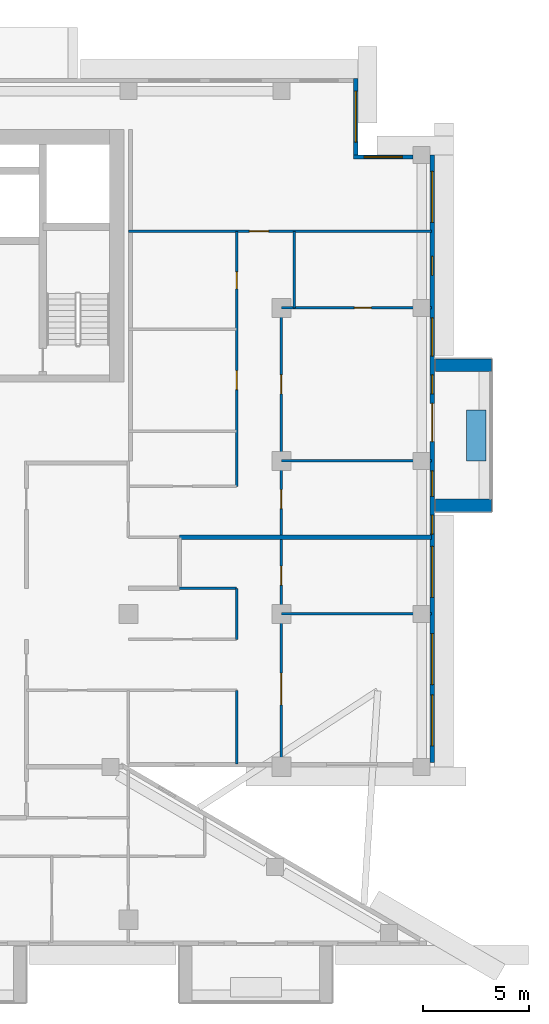
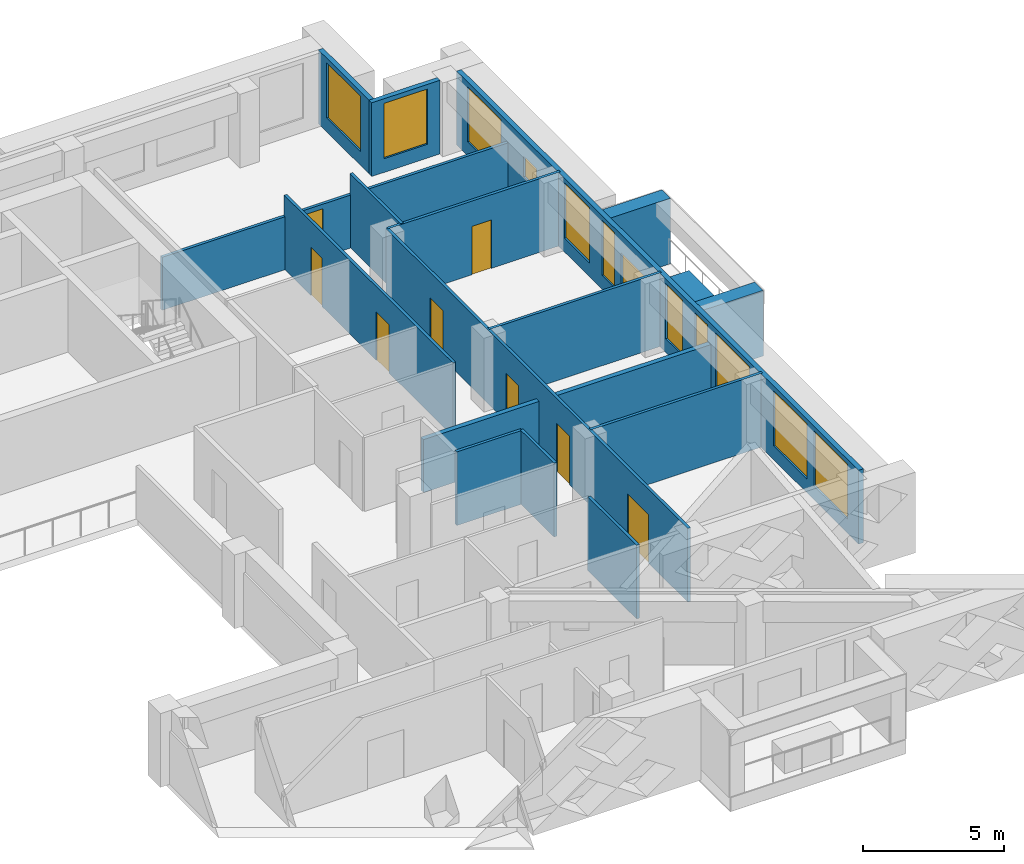
# One storey, part 12 of 20: 17 walls, 11 windows, 9 doors, 20 openings.
"""IFC4 building model written with IfcOpenShell, lengths in metres."""

from ifc_helpers import new_model, si_unit, direction, frame, frame_2d, origin, place, context, subcontext, project, spatial, rectangle, extrude, material, layer, layer_set, type_object, element, fill, save


model = new_model("IFC4")

# Units and contexts
model_context = context("Model", 3, precision=1e-05, world=origin(), true_north=direction((0.0, 1.0)))
body_context = subcontext(model_context, "Body", "Model", "MODEL_VIEW")
ifc_project = project(units=[si_unit("LENGTHUNIT", "METRE"), si_unit("AREAUNIT", "SQUARE_METRE"), si_unit("VOLUMEUNIT", "CUBIC_METRE"), si_unit("PLANEANGLEUNIT", "RADIAN"), si_unit("MASSUNIT", "GRAM", prefix="KILO")], contexts=[model_context])

# Site, building, storey
site_placement = place(None, origin())
site = spatial("IfcSite", under=ifc_project, at=site_placement, CompositionType="ELEMENT")
building_placement = place(site_placement, origin())
building = spatial("IfcBuilding", under=site, at=building_placement, Name="Saffron Iwan Residences", CompositionType="ELEMENT")
storey_placement = place(building_placement, frame((0.0, 0.0, 174.5)))
storey = spatial("IfcBuildingStorey", under=building, at=storey_placement, Name="L46", CompositionType="ELEMENT", Elevation=174.5)

# Walls
ifc_material_1 = material(Name="Concrete C50/60 white painted", Category="concrete")
ifc_layer_1 = layer(ifc_material_1, 0.60009765625)
ifc_layer_set_1 = layer_set([ifc_layer_1], Name="Concrete C50/60 white painted")
wall_type_1 = type_object("IfcWallType", Name="BALCONY FIN 600", PredefinedType="SOLIDWALL", material=ifc_layer_set_1)
for number, where, z_axis, x_axis, name in (
    (1, (86.449951171875, 60.300048828125, 0.0), (0.0, 0.0, 1.0), (1.0, 0.0, 0.0), "Balcony fin L46 F2-0a"),
    (2, (86.449951171875, 66.89990234375, 0.0), (0.0, 0.0, 1.0), (1.0, 0.0, 0.0), "Balcony fin L46 F2-0b"),
):
    element("IfcWall", number, at=place(storey_placement, frame(where, z_axis=z_axis, x_axis=x_axis)), inside=storey, type_object=wall_type_1, Name=name, PredefinedType="SOLIDWALL", context=body_context, shape_type="SweptSolid", body=[
        extrude(rectangle(XDim=2.650146484375, YDim=0.60009765625, at=frame_2d((1.3251953125, 0.0))), origin(), (0.0, 0.0, 1.0), 2.85009765625),
    ])
ifc_material_2 = material(Name="Concrete C35/45 white painted", Category="concrete")
ifc_layer_2 = layer(ifc_material_2, 0.14990234375)
ifc_layer_set_2 = layer_set([ifc_layer_2], Name="Concrete C35/45 white painted")
wall_type_2 = type_object("IfcWallType", Name="BALCONY PLANTER", PredefinedType="SOLIDWALL", material=ifc_layer_set_2)
wall_1_placement = place(storey_placement, frame((88.375, 62.39990234375, 0.0), z_axis=(0.0, 0.0, 1.0), x_axis=(0.0, 1.0, 0.0)))
element("IfcWall", 3, at=wall_1_placement, inside=storey, type_object=wall_type_2, Name="PLANTER L46 F2-0", PredefinedType="SOLIDWALL", context=body_context, shape_type="SweptSolid", body=[
    extrude(rectangle(XDim=2.400146484375, YDim=0.89990234375, at=frame_2d((1.2001953125, 0.0))), origin(), (0.0, 0.0, 1.0), 0.89990234375),
])

# Wall, openings, door, windows
ifc_material_3 = material(Name="Concrete C40/50", Category="concrete")
ifc_layer_3 = layer(ifc_material_3, 0.199951171875)
ifc_layer_set_3 = layer_set([ifc_layer_3], Name="Concrete C40/50")
wall_type_3 = type_object("IfcWallType", Name="EXTERNAL WALL 200", PredefinedType="SOLIDWALL", material=ifc_layer_set_3)
wall_2_placement = place(storey_placement, frame((86.300048828125, 48.199951171875, 0.0), z_axis=(0.0, 0.0, 1.0), x_axis=(0.0, 1.0, 0.0)))
wall_2 = element("IfcWall", 4, at=wall_2_placement, inside=storey, type_object=wall_type_3, Name="External wall L46 F2.0", PredefinedType="SOLIDWALL", context=body_context, shape_type="SweptSolid", body=[
    extrude(rectangle(XDim=28.60009765625, YDim=0.199951171875, at=frame_2d((14.300048828125, 0.0))), origin(), (0.0, 0.0, 1.0), 3.199951171875),
])
opening_1_placement = place(wall_2_placement, frame((15.10009765625, 0.0, 0.0)))
opening_1 = element("IfcOpeningElement", 5, at=opening_1_placement, cuts=wall_2, Name="Opening BD1", PredefinedType="OPENING", context=body_context, shape_type="SweptSolid", body=[
    extrude(rectangle(XDim=1.800048828125, YDim=2.39990234375, at=frame_2d((0.89990234375, 1.199951171875))), frame((0.0, 0.10986328125, 0.0), z_axis=(0.0, -1.0, 0.0), x_axis=(1.0, 0.0, 0.0)), (0.0, 0.0, 1.0), 0.219970703125),
])
opening_2_placement = place(wall_2_placement, frame((0.783203125, 0.0, 0.60009765625)))
opening_2 = element("IfcOpeningElement", 6, at=opening_2_placement, cuts=wall_2, Name="Opening W1", PredefinedType="OPENING", context=body_context, shape_type="SweptSolid", body=[
    extrude(rectangle(XDim=2.39990234375, YDim=2.39990234375, at=frame_2d((1.199951171875, 1.199951171875))), frame((0.0, 0.10986328125, 0.0), z_axis=(0.0, -1.0, 0.0), x_axis=(1.0, 0.0, 0.0)), (0.0, 0.0, 1.0), 0.219970703125),
])
opening_3_placement = place(wall_2_placement, frame((3.666748046875, 0.0, 0.60009765625)))
opening_3 = element("IfcOpeningElement", 7, at=opening_3_placement, cuts=wall_2, Name="Opening W1", PredefinedType="OPENING", context=body_context, shape_type="SweptSolid", body=[
    extrude(rectangle(XDim=2.39990234375, YDim=2.39990234375, at=frame_2d((1.199951171875, 1.199951171875))), frame((0.0, 0.10986328125, 0.0), z_axis=(0.0, -1.0, 0.0), x_axis=(1.0, 0.0, 0.0)), (0.0, 0.0, 1.0), 0.219970703125),
])
opening_4_placement = place(wall_2_placement, frame((7.77490234375, 0.0, 0.60009765625)))
opening_4 = element("IfcOpeningElement", 8, at=opening_4_placement, cuts=wall_2, Name="Opening W1", PredefinedType="OPENING", context=body_context, shape_type="SweptSolid", body=[
    extrude(rectangle(XDim=2.39990234375, YDim=2.39990234375, at=frame_2d((1.199951171875, 1.199951171875))), frame((0.0, 0.10986328125, 0.0), z_axis=(0.0, -1.0, 0.0), x_axis=(1.0, 0.0, 0.0)), (0.0, 0.0, 1.0), 0.219970703125),
])
opening_5_placement = place(wall_2_placement, frame((10.75, 0.0, 0.60009765625)))
opening_5 = element("IfcOpeningElement", 9, at=opening_5_placement, cuts=wall_2, Name="Opening W10", PredefinedType="OPENING", context=body_context, shape_type="SweptSolid", body=[
    extrude(rectangle(XDim=0.89990234375, YDim=2.39990234375, at=frame_2d((0.449951171875, 1.199951171875))), frame((0.0, 0.10986328125, 0.0), z_axis=(0.0, -1.0, 0.0), x_axis=(1.0, 0.0, 0.0)), (0.0, 0.0, 1.0), 0.219970703125),
])
opening_6_placement = place(wall_2_placement, frame((12.52490234375, 0.0, 0.60009765625)))
opening_6 = element("IfcOpeningElement", 10, at=opening_6_placement, cuts=wall_2, Name="Opening W3", PredefinedType="OPENING", context=body_context, shape_type="SweptSolid", body=[
    extrude(rectangle(XDim=1.199951171875, YDim=2.39990234375, at=frame_2d((0.60009765625, 1.199951171875))), frame((0.0, 0.10986328125, 0.0), z_axis=(0.0, -1.0, 0.0), x_axis=(1.0, 0.0, 0.0)), (0.0, 0.0, 1.0), 0.219970703125),
])
opening_7_placement = place(wall_2_placement, frame((17.35009765625, 0.0, 0.60009765625)))
opening_7 = element("IfcOpeningElement", 11, at=opening_7_placement, cuts=wall_2, Name="Opening W10", PredefinedType="OPENING", context=body_context, shape_type="SweptSolid", body=[
    extrude(rectangle(XDim=0.89990234375, YDim=2.39990234375, at=frame_2d((0.449951171875, 1.199951171875))), frame((0.0, 0.10986328125, 0.0), z_axis=(0.0, -1.0, 0.0), x_axis=(1.0, 0.0, 0.0)), (0.0, 0.0, 1.0), 0.219970703125),
])
opening_8_placement = place(wall_2_placement, frame((19.125, 0.0, 0.60009765625)))
opening_8 = element("IfcOpeningElement", 12, at=opening_8_placement, cuts=wall_2, Name="Opening W8", PredefinedType="OPENING", context=body_context, shape_type="SweptSolid", body=[
    extrude(rectangle(XDim=1.800048828125, YDim=2.39990234375, at=frame_2d((0.89990234375, 1.199951171875))), frame((0.0, 0.10986328125, 0.0), z_axis=(0.0, -1.0, 0.0), x_axis=(1.0, 0.0, 0.0)), (0.0, 0.0, 1.0), 0.219970703125),
])
opening_9_placement = place(wall_2_placement, frame((22.925048828125, 0.0, 1.5)))
opening_9 = element("IfcOpeningElement", 13, at=opening_9_placement, cuts=wall_2, Name="Opening W6", PredefinedType="OPENING", context=body_context, shape_type="SweptSolid", body=[
    extrude(rectangle(XDim=0.89990234375, YDim=0.89990234375, at=frame_2d((0.449951171875, 0.449951171875))), frame((0.0, 0.10986328125, 0.0), z_axis=(0.0, -1.0, 0.0), x_axis=(1.0, 0.0, 0.0)), (0.0, 0.0, 1.0), 0.219970703125),
])
opening_10_placement = place(wall_2_placement, frame((25.425048828125, 0.0, 0.60009765625)))
opening_10 = element("IfcOpeningElement", 14, at=opening_10_placement, cuts=wall_2, Name="Opening W1", PredefinedType="OPENING", context=body_context, shape_type="SweptSolid", body=[
    extrude(rectangle(XDim=2.39990234375, YDim=2.39990234375, at=frame_2d((1.199951171875, 1.199951171875))), frame((0.0, 0.10986328125, 0.0), z_axis=(0.0, -1.0, 0.0), x_axis=(1.0, 0.0, 0.0)), (0.0, 0.0, 1.0), 0.219970703125),
])
ifc_material_4 = material(Name="Clear glass, laminated double glazed", Category="glass")
door_type_1 = type_object("IfcDoorType", Name="BALCONY DOOR 1800 x 2400", OperationType="DOUBLE_DOOR_SLIDING", PredefinedType="DOOR", material=ifc_material_4)
door_1_placement = place(opening_1_placement, origin())
door_1 = element("IfcDoor", 15, at=door_1_placement, inside=storey, type_object=door_type_1, Name="Balcony door L46 F2.0", OperationType="DOUBLE_DOOR_SLIDING", OverallHeight=2.39990234375, OverallWidth=1.800048828125, PredefinedType="DOOR", context=body_context, shape_type="SweptSolid", body=[
    extrude(rectangle(XDim=1.800048828125, YDim=2.39990234375, at=frame_2d((0.89990234375, 1.199951171875))), frame((0.0, 0.02490234375, 0.0), z_axis=(0.0, -1.0, 0.0), x_axis=(1.0, 0.0, 0.0)), (0.0, 0.0, 1.0), 0.050048828125),
])
fill(opening_1, door_1)
window_type_1 = type_object("IfcWindowType", Name="WINDOW 1200 x 2400", PartitioningType="SINGLE_PANEL", PredefinedType="WINDOW", material=ifc_material_4)
window_1_placement = place(opening_6_placement, origin())
window_1 = element("IfcWindow", 16, at=window_1_placement, inside=storey, type_object=window_type_1, Name="Window L46 F2.5", OverallHeight=2.39990234375, OverallWidth=1.199951171875, PartitioningType="SINGLE_PANEL", PredefinedType="WINDOW", context=body_context, shape_type="SweptSolid", body=[
    extrude(rectangle(XDim=1.199951171875, YDim=2.39990234375, at=frame_2d((0.60009765625, 1.199951171875))), frame((0.0, 0.030029296875, 0.0), z_axis=(0.0, -1.0, 0.0), x_axis=(1.0, 0.0, 0.0)), (0.0, 0.0, 1.0), 0.06005859375),
])
fill(opening_6, window_1)
window_type_2 = type_object("IfcWindowType", Name="WINDOW 1800 x 2400", PartitioningType="DOUBLE_PANEL_VERTICAL", PredefinedType="WINDOW", material=ifc_material_4)
window_2_placement = place(opening_8_placement, origin())
window_2 = element("IfcWindow", 17, at=window_2_placement, inside=storey, type_object=window_type_2, Name="Window L46 F2.7", OverallHeight=2.39990234375, OverallWidth=1.800048828125, PartitioningType="DOUBLE_PANEL_VERTICAL", PredefinedType="WINDOW", context=body_context, shape_type="SweptSolid", body=[
    extrude(rectangle(XDim=1.800048828125, YDim=2.39990234375, at=frame_2d((0.89990234375, 1.199951171875))), frame((0.0, 0.030029296875, 0.0), z_axis=(0.0, -1.0, 0.0), x_axis=(1.0, 0.0, 0.0)), (0.0, 0.0, 1.0), 0.06005859375),
])
fill(opening_8, window_2)
window_type_3 = type_object("IfcWindowType", Name="WINDOW 2400 x 2400", PartitioningType="DOUBLE_PANEL_VERTICAL", PredefinedType="WINDOW", material=ifc_material_4)
window_3_placement = place(opening_2_placement, origin())
window_3 = element("IfcWindow", 18, at=window_3_placement, inside=storey, type_object=window_type_3, Name="Window L46 F2.1", OverallHeight=2.39990234375, OverallWidth=2.39990234375, PartitioningType="DOUBLE_PANEL_VERTICAL", PredefinedType="WINDOW", context=body_context, shape_type="SweptSolid", body=[
    extrude(rectangle(XDim=2.39990234375, YDim=2.39990234375, at=frame_2d((1.199951171875, 1.199951171875))), frame((0.0, 0.030029296875, 0.0), z_axis=(0.0, -1.0, 0.0), x_axis=(1.0, 0.0, 0.0)), (0.0, 0.0, 1.0), 0.06005859375),
])
fill(opening_2, window_3)
window_4_placement = place(opening_3_placement, origin())
window_4 = element("IfcWindow", 19, at=window_4_placement, inside=storey, type_object=window_type_3, Name="Window L46 F2.2", OverallHeight=2.39990234375, OverallWidth=2.39990234375, PartitioningType="DOUBLE_PANEL_VERTICAL", PredefinedType="WINDOW", context=body_context, shape_type="SweptSolid", body=[
    extrude(rectangle(XDim=2.39990234375, YDim=2.39990234375, at=frame_2d((1.199951171875, 1.199951171875))), frame((0.0, 0.030029296875, 0.0), z_axis=(0.0, -1.0, 0.0), x_axis=(1.0, 0.0, 0.0)), (0.0, 0.0, 1.0), 0.06005859375),
])
fill(opening_3, window_4)
window_5_placement = place(opening_4_placement, origin())
window_5 = element("IfcWindow", 20, at=window_5_placement, inside=storey, type_object=window_type_3, Name="Window L46 F2.3", OverallHeight=2.39990234375, OverallWidth=2.39990234375, PartitioningType="DOUBLE_PANEL_VERTICAL", PredefinedType="WINDOW", context=body_context, shape_type="SweptSolid", body=[
    extrude(rectangle(XDim=2.39990234375, YDim=2.39990234375, at=frame_2d((1.199951171875, 1.199951171875))), frame((0.0, 0.030029296875, 0.0), z_axis=(0.0, -1.0, 0.0), x_axis=(1.0, 0.0, 0.0)), (0.0, 0.0, 1.0), 0.06005859375),
])
fill(opening_4, window_5)
window_6_placement = place(opening_10_placement, origin())
window_6 = element("IfcWindow", 21, at=window_6_placement, inside=storey, type_object=window_type_3, Name="Window L46 F2.9", OverallHeight=2.39990234375, OverallWidth=2.39990234375, PartitioningType="DOUBLE_PANEL_VERTICAL", PredefinedType="WINDOW", context=body_context, shape_type="SweptSolid", body=[
    extrude(rectangle(XDim=2.39990234375, YDim=2.39990234375, at=frame_2d((1.199951171875, 1.199951171875))), frame((0.0, 0.030029296875, 0.0), z_axis=(0.0, -1.0, 0.0), x_axis=(1.0, 0.0, 0.0)), (0.0, 0.0, 1.0), 0.06005859375),
])
fill(opening_10, window_6)
window_type_4 = type_object("IfcWindowType", Name="WINDOW 900 x 2400", PartitioningType="SINGLE_PANEL", PredefinedType="WINDOW", material=ifc_material_4)
window_7_placement = place(opening_5_placement, origin())
window_7 = element("IfcWindow", 22, at=window_7_placement, inside=storey, type_object=window_type_4, Name="Window L46 F2.4", OverallHeight=2.39990234375, OverallWidth=0.89990234375, PartitioningType="SINGLE_PANEL", PredefinedType="WINDOW", context=body_context, shape_type="SweptSolid", body=[
    extrude(rectangle(XDim=0.89990234375, YDim=2.39990234375, at=frame_2d((0.449951171875, 1.199951171875))), frame((0.0, 0.030029296875, 0.0), z_axis=(0.0, -1.0, 0.0), x_axis=(1.0, 0.0, 0.0)), (0.0, 0.0, 1.0), 0.06005859375),
])
fill(opening_5, window_7)
window_8_placement = place(opening_7_placement, origin())
window_8 = element("IfcWindow", 23, at=window_8_placement, inside=storey, type_object=window_type_4, Name="Window L46 F2.6", OverallHeight=2.39990234375, OverallWidth=0.89990234375, PartitioningType="SINGLE_PANEL", PredefinedType="WINDOW", context=body_context, shape_type="SweptSolid", body=[
    extrude(rectangle(XDim=0.89990234375, YDim=2.39990234375, at=frame_2d((0.449951171875, 1.199951171875))), frame((0.0, 0.030029296875, 0.0), z_axis=(0.0, -1.0, 0.0), x_axis=(1.0, 0.0, 0.0)), (0.0, 0.0, 1.0), 0.06005859375),
])
fill(opening_7, window_8)
window_type_5 = type_object("IfcWindowType", Name="WINDOW 900 x 900 BATH", PartitioningType="SINGLE_PANEL", PredefinedType="WINDOW", material=ifc_material_4)
window_9_placement = place(opening_9_placement, origin())
window_9 = element("IfcWindow", 24, at=window_9_placement, inside=storey, type_object=window_type_5, Name="Window L46 F2.8", OverallHeight=0.89990234375, OverallWidth=0.89990234375, PartitioningType="SINGLE_PANEL", PredefinedType="WINDOW", context=body_context, shape_type="SweptSolid", body=[
    extrude(rectangle(XDim=0.89990234375, YDim=0.89990234375, at=frame_2d((0.449951171875, 0.449951171875))), frame((0.0, 0.030029296875, 0.0), z_axis=(0.0, -1.0, 0.0), x_axis=(1.0, 0.0, 0.0)), (0.0, 0.0, 1.0), 0.06005859375),
])
fill(opening_9, window_9)

# Wall, opening, window
wall_3_placement = place(storey_placement, frame((85.39990234375, 76.699951171875, 0.0), z_axis=(0.0, 0.0, 1.0), x_axis=(-1.0, 0.0, 0.0)))
wall_3 = element("IfcWall", 25, at=wall_3_placement, inside=storey, type_object=wall_type_3, Name="External wall L46 F3.0", PredefinedType="SOLIDWALL", context=body_context, shape_type="SweptSolid", body=[
    extrude(rectangle(XDim=2.7998046875, YDim=0.199951171875, at=frame_2d((1.39990234375, 0.0))), origin(), (0.0, 0.0, 1.0), 3.199951171875),
])
opening_11_placement = place(wall_3_placement, frame((0.5, 0.0, 0.60009765625)))
opening_11 = element("IfcOpeningElement", 26, at=opening_11_placement, cuts=wall_3, Name="Opening W8", PredefinedType="OPENING", context=body_context, shape_type="SweptSolid", body=[
    extrude(rectangle(XDim=1.800048828125, YDim=2.39990234375, at=frame_2d((0.89990234375, 1.199951171875))), frame((0.0, 0.10986328125, 0.0), z_axis=(0.0, -1.0, 0.0), x_axis=(1.0, 0.0, 0.0)), (0.0, 0.0, 1.0), 0.219970703125),
])
window_10_placement = place(opening_11_placement, origin())
window_10 = element("IfcWindow", 27, at=window_10_placement, inside=storey, type_object=window_type_2, Name="Window L46 F3.0", OverallHeight=2.39990234375, OverallWidth=1.800048828125, PartitioningType="DOUBLE_PANEL_VERTICAL", PredefinedType="WINDOW", context=body_context, shape_type="SweptSolid", body=[
    extrude(rectangle(XDim=1.800048828125, YDim=2.39990234375, at=frame_2d((0.89990234375, 1.199951171875))), frame((0.0, 0.030029296875, 0.0), z_axis=(0.0, -1.0, 0.0), x_axis=(1.0, 0.0, 0.0)), (0.0, 0.0, 1.0), 0.06005859375),
])
fill(opening_11, window_10)

wall_4_placement = place(storey_placement, frame((82.699951171875, 76.800048828125, 0.0), z_axis=(0.0, 0.0, 1.0), x_axis=(0.0, 1.0, 0.0)))
wall_4 = element("IfcWall", 28, at=wall_4_placement, inside=storey, type_object=wall_type_3, Name="External wall L46 F4.0", PredefinedType="SOLIDWALL", context=body_context, shape_type="SweptSolid", body=[
    extrude(rectangle(XDim=3.599853515625, YDim=0.199951171875, at=frame_2d((1.7998046875, 0.0))), origin(), (0.0, 0.0, 1.0), 3.199951171875),
])
opening_12_placement = place(wall_4_placement, frame((0.60009765625, 0.0, 0.60009765625)))
opening_12 = element("IfcOpeningElement", 29, at=opening_12_placement, cuts=wall_4, Name="Opening W1", PredefinedType="OPENING", context=body_context, shape_type="SweptSolid", body=[
    extrude(rectangle(XDim=2.39990234375, YDim=2.39990234375, at=frame_2d((1.199951171875, 1.199951171875))), frame((0.0, 0.10986328125, 0.0), z_axis=(0.0, -1.0, 0.0), x_axis=(1.0, 0.0, 0.0)), (0.0, 0.0, 1.0), 0.219970703125),
])
window_11_placement = place(opening_12_placement, origin())
window_11 = element("IfcWindow", 30, at=window_11_placement, inside=storey, type_object=window_type_3, Name="Window L46 F4.0", OverallHeight=2.39990234375, OverallWidth=2.39990234375, PartitioningType="DOUBLE_PANEL_VERTICAL", PredefinedType="WINDOW", context=body_context, shape_type="SweptSolid", body=[
    extrude(rectangle(XDim=2.39990234375, YDim=2.39990234375, at=frame_2d((1.199951171875, 1.199951171875))), frame((0.0, 0.030029296875, 0.0), z_axis=(0.0, -1.0, 0.0), x_axis=(1.0, 0.0, 0.0)), (0.0, 0.0, 1.0), 0.06005859375),
])
fill(opening_12, window_11)

# Walls
ifc_material_5 = material(Name="Fire-rated gypsum board wall")
ifc_layer_4 = layer(ifc_material_5, 0.199951171875)
ifc_layer_set_4 = layer_set([ifc_layer_4], Name="Fire-rated gypsum board wall")
wall_type_4 = type_object("IfcWallType", Name="Flat demising wall 200", PredefinedType="SOLIDWALL", material=ifc_layer_set_4)
wall_5_placement = place(storey_placement, frame((74.39990234375, 58.800048828125, 0.0), z_axis=(0.0, 0.0, 1.0), x_axis=(1.0, 0.0, 0.0)))
element("IfcWall", 31, at=wall_5_placement, inside=storey, type_object=wall_type_4, Name="W-L46-DEMISE-h58.8-74.4", PredefinedType="SOLIDWALL", context=body_context, shape_type="SweptSolid", body=[
    extrude(rectangle(XDim=11.875, YDim=0.199951171875, at=frame_2d((5.9375, 0.0))), origin(), (0.0, 0.0, 1.0), 2.300048828125),
])
ifc_material_6 = material(Name="Gypsum board partition")
ifc_layer_5 = layer(ifc_material_6, 0.1201171875)
ifc_layer_set_5 = layer_set([ifc_layer_5], Name="Gypsum board partition")
wall_type_5 = type_object("IfcWallType", Name="Flat partition 120", PredefinedType="PARTITIONING", material=ifc_layer_set_5)
wall_6_placement = place(storey_placement, frame((79.199951171875, 55.199951171875, 0.0), z_axis=(0.0, 0.0, 1.0), x_axis=(1.0, 0.0, 0.0)))
element("IfcWall", 32, at=wall_6_placement, inside=storey, type_object=wall_type_5, Name="W-L46-PART-h55.2-79.2", PredefinedType="PARTITIONING", context=body_context, shape_type="SweptSolid", body=[
    extrude(rectangle(XDim=7.074951171875, YDim=0.1201171875, at=frame_2d((3.53759765625, 0.0))), origin(), (0.0, 0.0, 1.0), 3.199951171875),
])
wall_7_placement = place(storey_placement, frame((74.39990234375, 56.39990234375, 0.0), z_axis=(0.0, 0.0, 1.0), x_axis=(1.0, 0.0, 0.0)))
element("IfcWall", 33, at=wall_7_placement, inside=storey, type_object=wall_type_5, Name="W-L46-PART-h56.4-74.4", PredefinedType="PARTITIONING", context=body_context, shape_type="SweptSolid", body=[
    extrude(rectangle(XDim=2.7001953125, YDim=0.1201171875, at=frame_2d((1.35009765625, 0.0))), origin(), (0.0, 0.0, 1.0), 3.199951171875),
])
wall_8_placement = place(storey_placement, frame((79.199951171875, 62.39990234375, 0.0), z_axis=(0.0, 0.0, 1.0), x_axis=(1.0, 0.0, 0.0)))
element("IfcWall", 34, at=wall_8_placement, inside=storey, type_object=wall_type_5, Name="W-L46-PART-h62.4-79.2", PredefinedType="PARTITIONING", context=body_context, shape_type="SweptSolid", body=[
    extrude(rectangle(XDim=7.074951171875, YDim=0.1201171875, at=frame_2d((3.53759765625, 0.0))), origin(), (0.0, 0.0, 1.0), 3.199951171875),
])

# Wall, opening, door
wall_9_placement = place(storey_placement, frame((79.199951171875, 69.60009765625, 0.0), z_axis=(0.0, 0.0, 1.0), x_axis=(1.0, 0.0, 0.0)))
wall_9 = element("IfcWall", 35, at=wall_9_placement, inside=storey, type_object=wall_type_5, Name="W-L46-PART-h69.6-79.2", PredefinedType="PARTITIONING", context=body_context, shape_type="SweptSolid", body=[
    extrude(rectangle(XDim=7.074951171875, YDim=0.1201171875, at=frame_2d((3.53759765625, 0.0))), origin(), (0.0, 0.0, 1.0), 3.199951171875),
])
opening_13_placement = place(wall_9_placement, frame((3.4375, 0.0, 0.0)))
opening_13 = element("IfcOpeningElement", 36, at=opening_13_placement, cuts=wall_9, Name="Opening FD3", PredefinedType="OPENING", context=body_context, shape_type="SweptSolid", body=[
    extrude(rectangle(XDim=0.800048828125, YDim=2.10009765625, at=frame_2d((0.39990234375, 1.050048828125))), frame((0.0, 0.070068359375, 0.0), z_axis=(0.0, -1.0, 0.0), x_axis=(1.0, 0.0, 0.0)), (0.0, 0.0, 1.0), 0.14013671875),
])
ifc_material_7 = material(Name="Timber door", Category="wood")
door_type_2 = type_object("IfcDoorType", Name="Bathroom door 800", OperationType="NOTDEFINED", PredefinedType="DOOR", material=ifc_material_7)
door_2_placement = place(opening_13_placement, origin())
door_2 = element("IfcDoor", 37, at=door_2_placement, inside=storey, type_object=door_type_2, Name="Door L46-034", OperationType="SINGLE_SWING_LEFT", OverallHeight=2.10009765625, OverallWidth=0.800048828125, PredefinedType="DOOR", context=body_context, shape_type="SweptSolid", body=[
    extrude(rectangle(XDim=0.800048828125, YDim=2.10009765625, at=frame_2d((0.39990234375, 1.050048828125))), frame((0.0, 0.02490234375, 0.0), z_axis=(0.0, -1.0, 0.0), x_axis=(1.0, 0.0, 0.0)), (0.0, 0.0, 1.0), 0.050048828125),
])
fill(opening_13, door_2)

wall_10_placement = place(storey_placement, frame((72.0, 73.199951171875, 0.0), z_axis=(0.0, 0.0, 1.0), x_axis=(1.0, 0.0, 0.0)))
wall_10 = element("IfcWall", 38, at=wall_10_placement, inside=storey, type_object=wall_type_5, Name="W-L46-PART-h73.2-72", PredefinedType="PARTITIONING", context=body_context, shape_type="SweptSolid", body=[
    extrude(rectangle(XDim=14.27490234375, YDim=0.1201171875, at=frame_2d((7.137451171875, 0.0))), origin(), (0.0, 0.0, 1.0), 2.300048828125),
])
opening_14_placement = place(wall_10_placement, frame((5.699951171875, 0.0, 0.0)))
opening_14 = element("IfcOpeningElement", 39, at=opening_14_placement, cuts=wall_10, Name="Opening FD2", PredefinedType="OPENING", context=body_context, shape_type="SweptSolid", body=[
    extrude(rectangle(XDim=0.89990234375, YDim=2.10009765625, at=frame_2d((0.449951171875, 1.050048828125))), frame((0.0, 0.070068359375, 0.0), z_axis=(0.0, -1.0, 0.0), x_axis=(1.0, 0.0, 0.0)), (0.0, 0.0, 1.0), 0.14013671875),
])
door_type_3 = type_object("IfcDoorType", Name="Flat door 900", OperationType="NOTDEFINED", PredefinedType="DOOR", material=ifc_material_7)
door_3_placement = place(opening_14_placement, origin())
door_3 = element("IfcDoor", 40, at=door_3_placement, inside=storey, type_object=door_type_3, Name="Door L46-035", OperationType="SINGLE_SWING_LEFT", OverallHeight=2.10009765625, OverallWidth=0.89990234375, PredefinedType="DOOR", context=body_context, shape_type="SweptSolid", body=[
    extrude(rectangle(XDim=0.89990234375, YDim=2.10009765625, at=frame_2d((0.449951171875, 1.050048828125))), frame((0.0, 0.02490234375, 0.0), z_axis=(0.0, -1.0, 0.0), x_axis=(1.0, 0.0, 0.0)), (0.0, 0.0, 1.0), 0.050048828125),
])
fill(opening_14, door_3)

# Walls
wall_11_placement = place(storey_placement, frame((77.10009765625, 48.125, 0.0), z_axis=(0.0, 0.0, 1.0), x_axis=(0.0, 1.0, 0.0)))
element("IfcWall", 41, at=wall_11_placement, inside=storey, type_object=wall_type_5, Name="W-L46-PART-v77.1-48.125", PredefinedType="PARTITIONING", context=body_context, shape_type="SweptSolid", body=[
    extrude(rectangle(XDim=3.47509765625, YDim=0.1201171875, at=frame_2d((1.737548828125, 0.0))), origin(), (0.0, 0.0, 1.0), 3.199951171875),
])
wall_12_placement = place(storey_placement, frame((77.10009765625, 54.0, 0.0), z_axis=(0.0, 0.0, 1.0), x_axis=(0.0, 1.0, 0.0)))
element("IfcWall", 42, at=wall_12_placement, inside=storey, type_object=wall_type_5, Name="W-L46-PART-v77.1-54", PredefinedType="PARTITIONING", context=body_context, shape_type="SweptSolid", body=[
    extrude(rectangle(XDim=2.39990234375, YDim=0.1201171875, at=frame_2d((1.199951171875, 0.0))), origin(), (0.0, 0.0, 1.0), 3.199951171875),
])

# Wall, openings, doors
wall_13_placement = place(storey_placement, frame((77.10009765625, 61.199951171875, 0.0), z_axis=(0.0, 0.0, 1.0), x_axis=(0.0, 1.0, 0.0)))
wall_13 = element("IfcWall", 43, at=wall_13_placement, inside=storey, type_object=wall_type_5, Name="W-L46-PART-v77.1-61.2", PredefinedType="PARTITIONING", context=body_context, shape_type="SweptSolid", body=[
    extrude(rectangle(XDim=12.0, YDim=0.1201171875, at=frame_2d((6.0, 0.0))), origin(), (0.0, 0.0, 1.0), 3.199951171875),
])
opening_15_placement = place(wall_13_placement, frame((4.550048828125, 0.0, 0.0)))
opening_15 = element("IfcOpeningElement", 44, at=opening_15_placement, cuts=wall_13, Name="Opening FD2", PredefinedType="OPENING", context=body_context, shape_type="SweptSolid", body=[
    extrude(rectangle(XDim=0.89990234375, YDim=2.10009765625, at=frame_2d((0.449951171875, 1.050048828125))), frame((0.0, 0.070068359375, 0.0), z_axis=(0.0, -1.0, 0.0), x_axis=(1.0, 0.0, 0.0)), (0.0, 0.0, 1.0), 0.14013671875),
])
opening_16_placement = place(wall_13_placement, frame((9.300048828125, 0.0, 0.0)))
opening_16 = element("IfcOpeningElement", 45, at=opening_16_placement, cuts=wall_13, Name="Opening FD3", PredefinedType="OPENING", context=body_context, shape_type="SweptSolid", body=[
    extrude(rectangle(XDim=0.800048828125, YDim=2.10009765625, at=frame_2d((0.39990234375, 1.050048828125))), frame((0.0, 0.070068359375, 0.0), z_axis=(0.0, -1.0, 0.0), x_axis=(1.0, 0.0, 0.0)), (0.0, 0.0, 1.0), 0.14013671875),
])
door_4_placement = place(opening_16_placement, origin())
door_4 = element("IfcDoor", 46, at=door_4_placement, inside=storey, type_object=door_type_2, Name="Door L46-038", OperationType="SINGLE_SWING_LEFT", OverallHeight=2.10009765625, OverallWidth=0.800048828125, PredefinedType="DOOR", context=body_context, shape_type="SweptSolid", body=[
    extrude(rectangle(XDim=0.800048828125, YDim=2.10009765625, at=frame_2d((0.39990234375, 1.050048828125))), frame((0.0, 0.02490234375, 0.0), z_axis=(0.0, -1.0, 0.0), x_axis=(1.0, 0.0, 0.0)), (0.0, 0.0, 1.0), 0.050048828125),
])
fill(opening_16, door_4)
door_5_placement = place(opening_15_placement, origin())
door_5 = element("IfcDoor", 47, at=door_5_placement, inside=storey, type_object=door_type_3, Name="Door L46-037", OperationType="SINGLE_SWING_LEFT", OverallHeight=2.10009765625, OverallWidth=0.89990234375, PredefinedType="DOOR", context=body_context, shape_type="SweptSolid", body=[
    extrude(rectangle(XDim=0.89990234375, YDim=2.10009765625, at=frame_2d((0.449951171875, 1.050048828125))), frame((0.0, 0.02490234375, 0.0), z_axis=(0.0, -1.0, 0.0), x_axis=(1.0, 0.0, 0.0)), (0.0, 0.0, 1.0), 0.050048828125),
])
fill(opening_15, door_5)

wall_14_placement = place(storey_placement, frame((79.199951171875, 48.125, 0.0), z_axis=(0.0, 0.0, 1.0), x_axis=(0.0, 1.0, 0.0)))
wall_14 = element("IfcWall", 48, at=wall_14_placement, inside=storey, type_object=wall_type_5, Name="W-L46-PART-v79.2-48.125", PredefinedType="PARTITIONING", context=body_context, shape_type="SweptSolid", body=[
    extrude(rectangle(XDim=21.47509765625, YDim=0.1201171875, at=frame_2d((10.737548828125, 0.0))), origin(), (0.0, 0.0, 1.0), 3.199951171875),
])
opening_17_placement = place(wall_14_placement, frame((2.78759765625, 0.0, 0.0)))
opening_17 = element("IfcOpeningElement", 49, at=opening_17_placement, cuts=wall_14, Name="Opening FD4", PredefinedType="OPENING", context=body_context, shape_type="SweptSolid", body=[
    extrude(rectangle(XDim=1.5, YDim=2.10009765625, at=frame_2d((0.75, 1.050048828125))), frame((0.0, 0.070068359375, 0.0), z_axis=(0.0, -1.0, 0.0), x_axis=(1.0, 0.0, 0.0)), (0.0, 0.0, 1.0), 0.14013671875),
])
opening_18_placement = place(wall_14_placement, frame((8.425048828125, 0.0, 0.0)))
opening_18 = element("IfcOpeningElement", 50, at=opening_18_placement, cuts=wall_14, Name="Opening FD2", PredefinedType="OPENING", context=body_context, shape_type="SweptSolid", body=[
    extrude(rectangle(XDim=0.89990234375, YDim=2.10009765625, at=frame_2d((0.449951171875, 1.050048828125))), frame((0.0, 0.070068359375, 0.0), z_axis=(0.0, -1.0, 0.0), x_axis=(1.0, 0.0, 0.0)), (0.0, 0.0, 1.0), 0.14013671875),
])
opening_19_placement = place(wall_14_placement, frame((12.02490234375, 0.0, 0.0)))
opening_19 = element("IfcOpeningElement", 51, at=opening_19_placement, cuts=wall_14, Name="Opening FD2", PredefinedType="OPENING", context=body_context, shape_type="SweptSolid", body=[
    extrude(rectangle(XDim=0.89990234375, YDim=2.10009765625, at=frame_2d((0.449951171875, 1.050048828125))), frame((0.0, 0.070068359375, 0.0), z_axis=(0.0, -1.0, 0.0), x_axis=(1.0, 0.0, 0.0)), (0.0, 0.0, 1.0), 0.14013671875),
])
opening_20_placement = place(wall_14_placement, frame((17.425048828125, 0.0, 0.0)))
opening_20 = element("IfcOpeningElement", 52, at=opening_20_placement, cuts=wall_14, Name="Opening FD2", PredefinedType="OPENING", context=body_context, shape_type="SweptSolid", body=[
    extrude(rectangle(XDim=0.89990234375, YDim=2.10009765625, at=frame_2d((0.449951171875, 1.050048828125))), frame((0.0, 0.070068359375, 0.0), z_axis=(0.0, -1.0, 0.0), x_axis=(1.0, 0.0, 0.0)), (0.0, 0.0, 1.0), 0.14013671875),
])
door_type_4 = type_object("IfcDoorType", Name="Double door 1500", OperationType="NOTDEFINED", PredefinedType="DOOR", material=ifc_material_7)
door_6_placement = place(opening_17_placement, origin())
door_6 = element("IfcDoor", 53, at=door_6_placement, inside=storey, type_object=door_type_4, Name="Door L46-015", OperationType="SINGLE_SWING_RIGHT", OverallHeight=2.10009765625, OverallWidth=1.5, PredefinedType="DOOR", context=body_context, shape_type="SweptSolid", body=[
    extrude(rectangle(XDim=1.5, YDim=2.10009765625, at=frame_2d((0.75, 1.050048828125))), frame((0.0, 0.02490234375, 0.0), z_axis=(0.0, -1.0, 0.0), x_axis=(1.0, 0.0, 0.0)), (0.0, 0.0, 1.0), 0.050048828125),
])
fill(opening_17, door_6)
door_7_placement = place(opening_18_placement, origin())
door_7 = element("IfcDoor", 54, at=door_7_placement, inside=storey, type_object=door_type_3, Name="Door L46-016", OperationType="SINGLE_SWING_LEFT", OverallHeight=2.10009765625, OverallWidth=0.89990234375, PredefinedType="DOOR", context=body_context, shape_type="SweptSolid", body=[
    extrude(rectangle(XDim=0.89990234375, YDim=2.10009765625, at=frame_2d((0.449951171875, 1.050048828125))), frame((0.0, 0.02490234375, 0.0), z_axis=(0.0, -1.0, 0.0), x_axis=(1.0, 0.0, 0.0)), (0.0, 0.0, 1.0), 0.050048828125),
])
fill(opening_18, door_7)
door_8_placement = place(opening_19_placement, origin())
door_8 = element("IfcDoor", 55, at=door_8_placement, inside=storey, type_object=door_type_3, Name="Door L46-032", OperationType="SINGLE_SWING_LEFT", OverallHeight=2.10009765625, OverallWidth=0.89990234375, PredefinedType="DOOR", context=body_context, shape_type="SweptSolid", body=[
    extrude(rectangle(XDim=0.89990234375, YDim=2.10009765625, at=frame_2d((0.449951171875, 1.050048828125))), frame((0.0, 0.02490234375, 0.0), z_axis=(0.0, -1.0, 0.0), x_axis=(1.0, 0.0, 0.0)), (0.0, 0.0, 1.0), 0.050048828125),
])
fill(opening_19, door_8)
door_9_placement = place(opening_20_placement, origin())
door_9 = element("IfcDoor", 56, at=door_9_placement, inside=storey, type_object=door_type_3, Name="Door L46-033", OperationType="SINGLE_SWING_RIGHT", OverallHeight=2.10009765625, OverallWidth=0.89990234375, PredefinedType="DOOR", context=body_context, shape_type="SweptSolid", body=[
    extrude(rectangle(XDim=0.89990234375, YDim=2.10009765625, at=frame_2d((0.449951171875, 1.050048828125))), frame((0.0, 0.02490234375, 0.0), z_axis=(0.0, -1.0, 0.0), x_axis=(1.0, 0.0, 0.0)), (0.0, 0.0, 1.0), 0.050048828125),
])
fill(opening_20, door_9)

# Wall
wall_15_placement = place(storey_placement, frame((79.800048828125, 69.60009765625, 0.0), z_axis=(0.0, 0.0, 1.0), x_axis=(0.0, 1.0, 0.0)))
element("IfcWall", 57, at=wall_15_placement, inside=storey, type_object=wall_type_5, Name="W-L46-PART-v79.8-69.6", PredefinedType="PARTITIONING", context=body_context, shape_type="SweptSolid", body=[
    extrude(rectangle(XDim=3.599853515625, YDim=0.1201171875, at=frame_2d((1.7998046875, 0.0))), origin(), (0.0, 0.0, 1.0), 3.199951171875),
])

save(model, "model.ifc")
